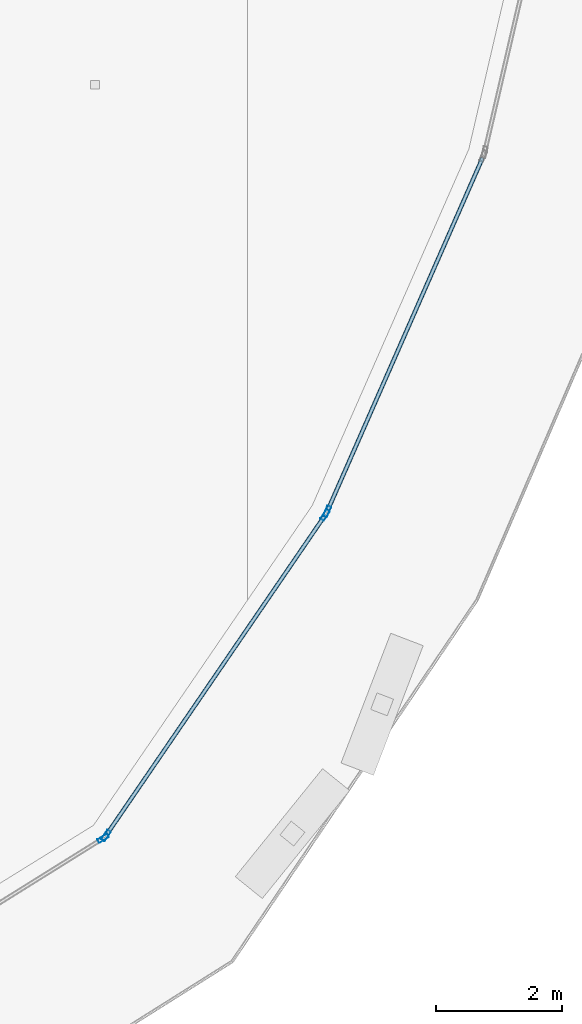
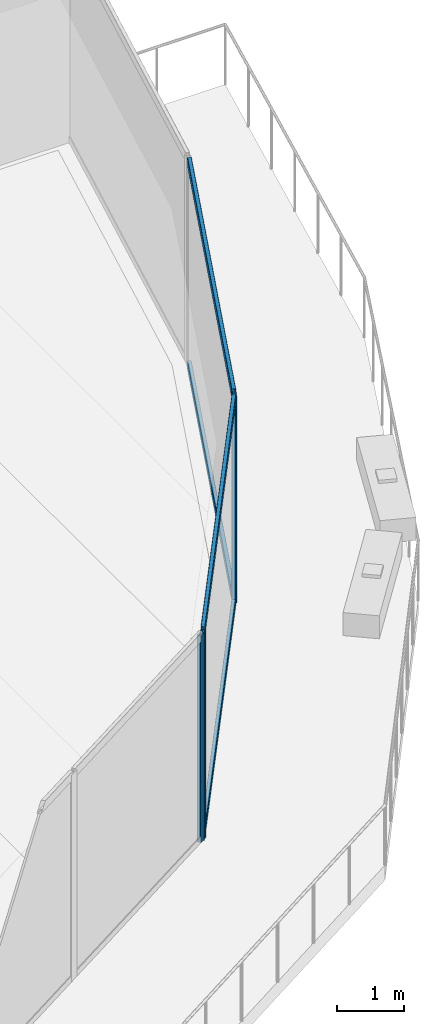
# One storey, part 12 of 36: 8 members, 3 elements without a shape of their own.
"""IFC4 building model written with IfcOpenShell, lengths in metres."""

from ifc_helpers import new_model, si_unit, direction, frame, origin, origin_2d, place, context, subcontext, project, spatial, hollow_rectangle, extrude, material, layer, layer_set, material_profile, profile_set, type_object, element, aggregate, save


model = new_model("IFC4")

# Units and contexts
model_context = context("Model", 3, precision=1e-05, world=origin(), true_north=direction((0.0, 1.0)))
body_context = subcontext(model_context, "Body", "Model", "MODEL_VIEW")
ifc_project = project(units=[si_unit("LENGTHUNIT", "METRE"), si_unit("AREAUNIT", "SQUARE_METRE"), si_unit("VOLUMEUNIT", "CUBIC_METRE"), si_unit("PLANEANGLEUNIT", "RADIAN"), si_unit("MASSUNIT", "GRAM", prefix="KILO")], contexts=[model_context])

# Site, building, storey
site_placement = place(None, origin())
site = spatial("IfcSite", under=ifc_project, at=site_placement, CompositionType="ELEMENT")
building_placement = place(site_placement, origin())
building = spatial("IfcBuilding", under=site, at=building_placement, Name="Qorvath Tower", CompositionType="ELEMENT")
storey_placement = place(building_placement, frame((0.0, 0.0, 192.89990234375)))
storey = spatial("IfcBuildingStorey", under=building, at=storey_placement, Name="L44", CompositionType="ELEMENT", Elevation=192.89990234375)

# Curtain wall, member
ifc_material_1 = material(Name="Anodised aluminium and triple low-E glass", Category="aluminium")
ifc_layer = layer(ifc_material_1, 0.179931640625)
ifc_layer_set = layer_set([ifc_layer], Name="CW-SYS-3")
curtain_wall_type = type_object("IfcCurtainWallType", Name="CW-SYS-3", PredefinedType="NOTDEFINED", material=ifc_layer_set)
curtain_wall_1_placement = place(storey_placement, origin())
curtain_wall_1 = element("IfcCurtainWall", 1, at=curtain_wall_1_placement, inside=storey, type_object=curtain_wall_type, Name="Curtain Wall CW-3 CW-T-L44-4.1", PredefinedType="NOTDEFINED")
ifc_material_2 = material(Name="Anodised aluminium 6063-T6", Category="aluminium")
ifc_material_profile_1 = material_profile(ifc_material_2, hollow_rectangle(XDim=0.06494140625, YDim=0.179931640625, WallThickness=0.00341796875, InnerFilletRadius=0.00341796875, OuterFilletRadius=0.007080078125, at=origin_2d()), Name="CWM 180x65")
ifc_profile_set_1 = profile_set([ifc_material_profile_1], Name="Anodised aluminium 6063-T6")
member_type_1 = type_object("IfcMemberType", Name="CWM-180", PredefinedType="MULLION", material=ifc_profile_set_1)
member_1_placement = place(storey_placement, frame((-5.7587890625, -21.410888671875, 0.0), z_axis=(0.0, 0.0, 1.0), x_axis=(-0.529206179006, 0.848493264618, 0.0)))
member_1 = element("IfcMember", 2, at=member_1_placement, type_object=member_type_1, Name="CW-3 mullion 3", PredefinedType="MULLION", context=body_context, shape_type="SweptSolid", body=[
    extrude(hollow_rectangle(XDim=0.06494140625, YDim=0.179931640625, WallThickness=0.00341796875, InnerFilletRadius=0.00341796875, OuterFilletRadius=0.007080078125, at=origin_2d()), origin(), (0.0, 0.0, 1.0), 3.780029296875),
])
aggregate(curtain_wall_1, [member_1])

# Curtain wall, members
curtain_wall_2_placement = place(storey_placement, origin())
curtain_wall_2 = element("IfcCurtainWall", 3, at=curtain_wall_2_placement, inside=storey, type_object=curtain_wall_type, Name="Curtain Wall CW-3 CW-T-L44-5.1", PredefinedType="NOTDEFINED")
member_2_placement = place(storey_placement, frame((-5.712890625, -21.366943359375, 0.0), z_axis=(0.0, 0.0, 1.0), x_axis=(-0.825424850974, 0.56451201528, 0.0)))
member_2 = element("IfcMember", 4, at=member_2_placement, type_object=member_type_1, Name="CW-3 mullion 1", PredefinedType="MULLION", context=body_context, shape_type="SweptSolid", body=[
    extrude(hollow_rectangle(XDim=0.06494140625, YDim=0.179931640625, WallThickness=0.00341796875, InnerFilletRadius=0.00341796875, OuterFilletRadius=0.007080078125, at=origin_2d()), origin(), (0.0, 0.0, 1.0), 3.780029296875),
])
member_3_placement = place(storey_placement, frame((-2.240966796875, -16.29052734375, 0.0), z_axis=(0.0, 0.0, 1.0), x_axis=(-0.825424850974, 0.56451201528, 0.0)))
member_3 = element("IfcMember", 5, at=member_3_placement, type_object=member_type_1, Name="CW-3 mullion 2", PredefinedType="MULLION", context=body_context, shape_type="SweptSolid", body=[
    extrude(hollow_rectangle(XDim=0.06494140625, YDim=0.179931640625, WallThickness=0.00341796875, InnerFilletRadius=0.00341796875, OuterFilletRadius=0.007080078125, at=origin_2d()), origin(), (0.0, 0.0, 1.0), 3.780029296875),
])

# Curtain wall, member
curtain_wall_3_placement = place(storey_placement, origin())
curtain_wall_3 = element("IfcCurtainWall", 6, at=curtain_wall_3_placement, inside=storey, type_object=curtain_wall_type, Name="Curtain Wall CW-3 CW-T-L44-6.1", PredefinedType="NOTDEFINED")
member_4_placement = place(storey_placement, frame((-2.209716796875, -16.23388671875, 0.0), z_axis=(0.0, 0.0, 1.0), x_axis=(-0.915498802884, 0.402320695364, 0.0)))
member_4 = element("IfcMember", 7, at=member_4_placement, type_object=member_type_1, Name="CW-3 mullion 1", PredefinedType="MULLION", context=body_context, shape_type="SweptSolid", body=[
    extrude(hollow_rectangle(XDim=0.06494140625, YDim=0.179931640625, WallThickness=0.00341796875, InnerFilletRadius=0.00341796875, OuterFilletRadius=0.007080078125, at=origin_2d()), origin(), (0.0, 0.0, 1.0), 3.780029296875),
])

# Member
ifc_material_3 = material(Name="Anodised aluminium 6063-T6", Category="aluminium")
ifc_material_profile_2 = material_profile(ifc_material_3, hollow_rectangle(XDim=0.06494140625, YDim=0.159912109375, WallThickness=0.00341796875, InnerFilletRadius=0.00341796875, OuterFilletRadius=0.007080078125, at=origin_2d()), Name="CWT 160x65")
ifc_profile_set_2 = profile_set([ifc_material_profile_2], Name="Anodised aluminium 6063-T6")
member_type_2 = type_object("IfcMemberType", Name="CWT-160", PredefinedType="USERDEFINED", material=ifc_profile_set_2)
member_5_placement = place(storey_placement, frame((-5.694580078125, -21.340087890625, 0.032470703125), z_axis=(0.564540077657, 0.825405658279, 0.0), x_axis=(-0.825405658279, 0.564540077657, 0.0)))
member_5 = element("IfcMember", 8, at=member_5_placement, type_object=member_type_2, Name="CW-3 transom 1.1", ObjectType="TRANSOM", PredefinedType="USERDEFINED", context=body_context, shape_type="SweptSolid", body=[
    extrude(hollow_rectangle(XDim=0.06494140625, YDim=0.159912109375, WallThickness=0.00341796875, InnerFilletRadius=0.00341796875, OuterFilletRadius=0.007080078125, at=origin_2d()), origin(), (0.0, 0.0, 1.0), 6.085205078125),
])

member_6_placement = place(storey_placement, frame((-5.694580078125, -21.340087890625, 3.74755859375), z_axis=(0.564540077657, 0.825405658279, 0.0), x_axis=(-0.825405658279, 0.564540077657, 0.0)))
member_6 = element("IfcMember", 9, at=member_6_placement, type_object=member_type_2, Name="CW-3 transom 1.2", ObjectType="TRANSOM", PredefinedType="USERDEFINED", context=body_context, shape_type="SweptSolid", body=[
    extrude(hollow_rectangle(XDim=0.06494140625, YDim=0.159912109375, WallThickness=0.00341796875, InnerFilletRadius=0.00341796875, OuterFilletRadius=0.007080078125, at=origin_2d()), origin(), (0.0, 0.0, 1.0), 6.085205078125),
])

aggregate(curtain_wall_2, [member_2, member_3, member_5, member_6])

member_7_placement = place(storey_placement, frame((-2.196533203125, -16.2041015625, 0.032470703125), z_axis=(0.402337899002, 0.915491242463, 0.0), x_axis=(-0.915491242463, 0.402337899002, 0.0)))
member_7 = element("IfcMember", 10, at=member_7_placement, type_object=member_type_2, Name="CW-3 transom 1.1", ObjectType="TRANSOM", PredefinedType="USERDEFINED", context=body_context, shape_type="SweptSolid", body=[
    extrude(hollow_rectangle(XDim=0.06494140625, YDim=0.159912109375, WallThickness=0.00341796875, InnerFilletRadius=0.00341796875, OuterFilletRadius=0.007080078125, at=origin_2d()), origin(), (0.0, 0.0, 1.0), 6.0849609375),
])

member_8_placement = place(storey_placement, frame((-2.196533203125, -16.2041015625, 3.74755859375), z_axis=(0.402337899002, 0.915491242463, 0.0), x_axis=(-0.915491242463, 0.402337899002, 0.0)))
member_8 = element("IfcMember", 11, at=member_8_placement, type_object=member_type_2, Name="CW-3 transom 1.2", ObjectType="TRANSOM", PredefinedType="USERDEFINED", context=body_context, shape_type="SweptSolid", body=[
    extrude(hollow_rectangle(XDim=0.06494140625, YDim=0.159912109375, WallThickness=0.00341796875, InnerFilletRadius=0.00341796875, OuterFilletRadius=0.007080078125, at=origin_2d()), origin(), (0.0, 0.0, 1.0), 6.0849609375),
])

aggregate(curtain_wall_3, [member_4, member_7, member_8])

save(model, "model.ifc")
